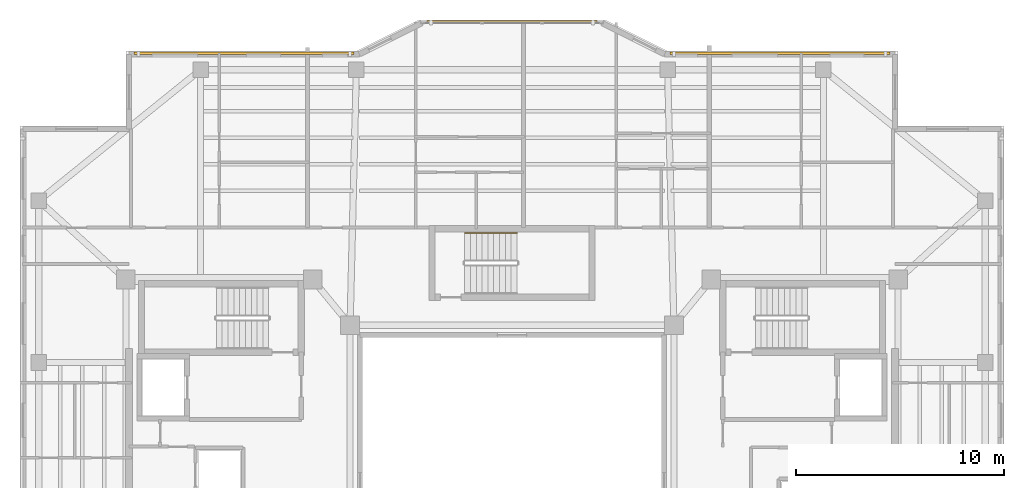
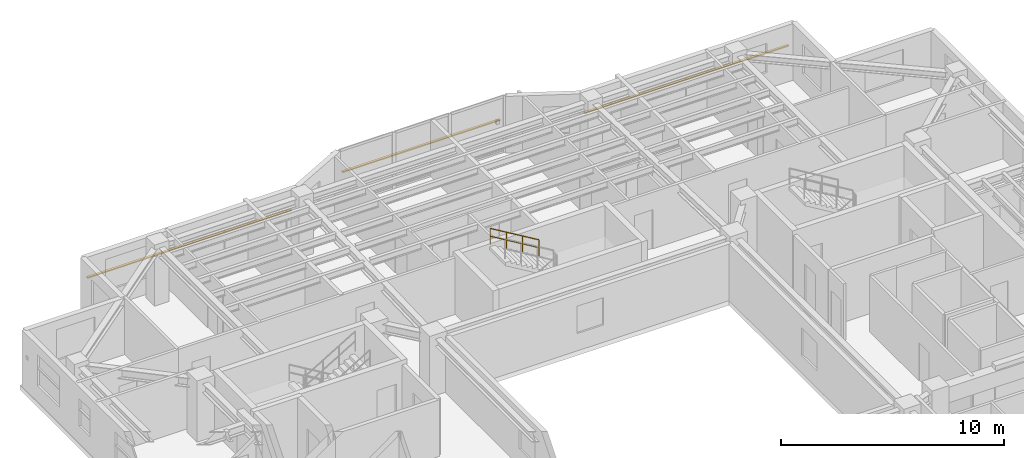
# One storey, part 12 of 12: 3 shading devices, 1 railing.
"""IFC4 building model written with IfcOpenShell, lengths in metres."""

from ifc_helpers import new_model, si_unit, direction, frame, origin, origin_2d, place, context, subcontext, project, spatial, rectangle, circle, extrude, material, material_profile, profile_set, type_object, element, save


model = new_model("IFC4")

# Units and contexts
model_context = context("Model", 3, precision=1e-05, world=origin(), true_north=direction((0.0, 1.0)))
body_context = subcontext(model_context, "Body", "Model", "MODEL_VIEW")
ifc_project = project(units=[si_unit("LENGTHUNIT", "METRE"), si_unit("AREAUNIT", "SQUARE_METRE"), si_unit("VOLUMEUNIT", "CUBIC_METRE"), si_unit("PLANEANGLEUNIT", "RADIAN"), si_unit("MASSUNIT", "GRAM", prefix="KILO")], contexts=[model_context])

# Site, building, storey
site_placement = place(None, origin())
site = spatial("IfcSite", under=ifc_project, at=site_placement, CompositionType="ELEMENT")
building_placement = place(site_placement, origin())
building = spatial("IfcBuilding", under=site, at=building_placement, Name="Tarnavaz Court Tower", CompositionType="ELEMENT")
storey_placement = place(building_placement, frame((0.0, 0.0, 210.35009765625)))
storey = spatial("IfcBuildingStorey", under=building, at=storey_placement, Name="L57", CompositionType="ELEMENT", Elevation=210.35009765625)

# Railing
ifc_material_1 = material(Name="Brushed Stainless Steel", Category="steel")
railing_type = type_object("IfcRailingType", Name="RL-HANDRAIL-900", PredefinedType="HANDRAIL", material=ifc_material_1)
railing_placement = place(storey_placement, frame((0.239990234375, 12.239990234375, 1.84228515625)))
element("IfcRailing", 1, at=railing_placement, inside=storey, type_object=railing_type, Name="L57 ST-N1 stair handrail 2", PredefinedType="HANDRAIL", context=body_context, shape_type="SweptSolid", body=[
    extrude(circle(Radius=0.02392578125, at=origin_2d()), frame((0.0, 0.0, 0.8759765625), z_axis=(-0.858159760407, 0.0, 0.513382728203), x_axis=(0.0, -1.0, 0.0)), (0.0, 0.0, 1.0), 2.9365234375),
    extrude(circle(Radius=0.02392578125, at=origin_2d()), frame((0.0, 0.0, 0.449951171875), z_axis=(-0.858159760407, 0.0, 0.513382728203), x_axis=(0.0, -1.0, 0.0)), (0.0, 0.0, 1.0), 2.9365234375),
    extrude(circle(Radius=0.02099609375, at=origin_2d()), origin(), (0.0, 0.0, 1.0), 0.851806640625),
    extrude(circle(Radius=0.02099609375, at=origin_2d()), frame((-0.840087890625, 0.0, 0.50244140625)), (0.0, 0.0, 1.0), 0.851806640625),
    extrude(circle(Radius=0.02099609375, at=origin_2d()), frame((-1.679931640625, 0.0, 1.005126953125)), (0.0, 0.0, 1.0), 0.851806640625),
    extrude(circle(Radius=0.02099609375, at=origin_2d()), frame((-2.52001953125, 0.0, 1.507568359375)), (0.0, 0.0, 1.0), 0.851806640625),
])

# Shading devices
ifc_material_2 = material(Name="Kiln-Fired Khorasan Terracotta Ceramic", Category="masonry")
ifc_material_profile = material_profile(ifc_material_2, rectangle(XDim=0.1201171875, YDim=0.06005859375, at=origin_2d()), Name="TC BAGUETTE 120X60")
ifc_profile_set = profile_set([ifc_material_profile], Name="Kiln-Fired Khorasan Terracotta Ceramic")
shading_device_type = type_object("IfcShadingDeviceType", Name="SD-BAG-120", PredefinedType="USERDEFINED", material=ifc_profile_set)
shading_device_1_placement = place(storey_placement, frame((-18.199951171875, 20.909912109375, 1.849853515625), z_axis=(1.0, 0.0, 0.0), x_axis=(0.0, 1.0, 0.0)))
element("IfcShadingDevice", 2, at=shading_device_1_placement, inside=storey, type_object=shading_device_type, Name="L57 Terracotta Baguette Screen FBG05", ObjectType="BAGUETTE", PredefinedType="USERDEFINED", context=body_context, shape_type="SweptSolid", body=[
    extrude(rectangle(XDim=0.1201171875, YDim=0.06005859375, at=origin_2d()), origin(), (0.0, 0.0, 1.0), 10.599853515625),
])
shading_device_2_placement = place(storey_placement, frame((-4.10009765625, 22.409912109375, 1.7998046875), z_axis=(1.0, 0.0, 0.0), x_axis=(0.0, 1.0, 0.0)))
element("IfcShadingDevice", 3, at=shading_device_2_placement, inside=storey, type_object=shading_device_type, Name="L57 Terracotta Baguette Screen PBG7", ObjectType="BAGUETTE", PredefinedType="USERDEFINED", context=body_context, shape_type="SweptSolid", body=[
    extrude(rectangle(XDim=0.1201171875, YDim=0.06005859375, at=origin_2d()), origin(), (0.0, 0.0, 1.0), 8.2001953125),
])
shading_device_3_placement = place(storey_placement, frame((7.60009765625, 20.909912109375, 1.849853515625), z_axis=(1.0, 0.0, 0.0), x_axis=(0.0, 1.0, 0.0)))
element("IfcShadingDevice", 4, at=shading_device_3_placement, inside=storey, type_object=shading_device_type, Name="L57 Terracotta Baguette Screen FBG09", ObjectType="BAGUETTE", PredefinedType="USERDEFINED", context=body_context, shape_type="SweptSolid", body=[
    extrude(rectangle(XDim=0.1201171875, YDim=0.06005859375, at=origin_2d()), origin(), (0.0, 0.0, 1.0), 10.599853515625),
])

save(model, "model.ifc")
